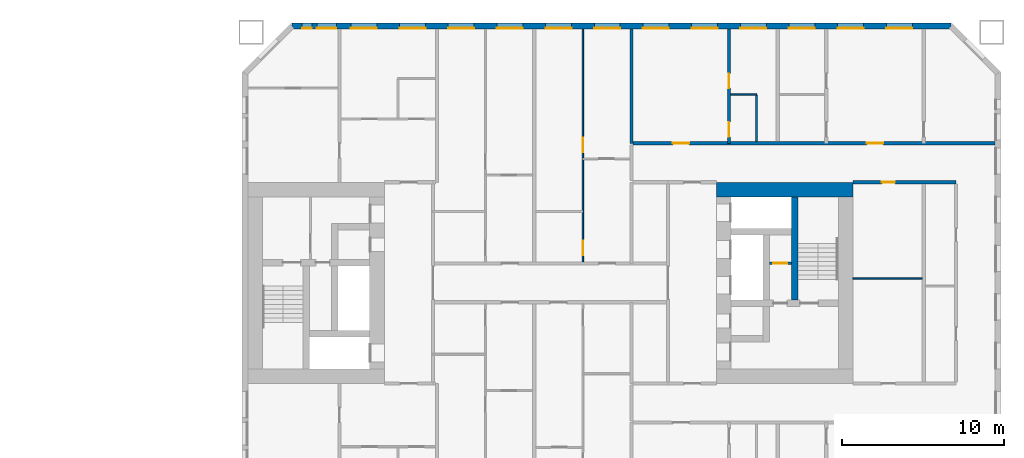
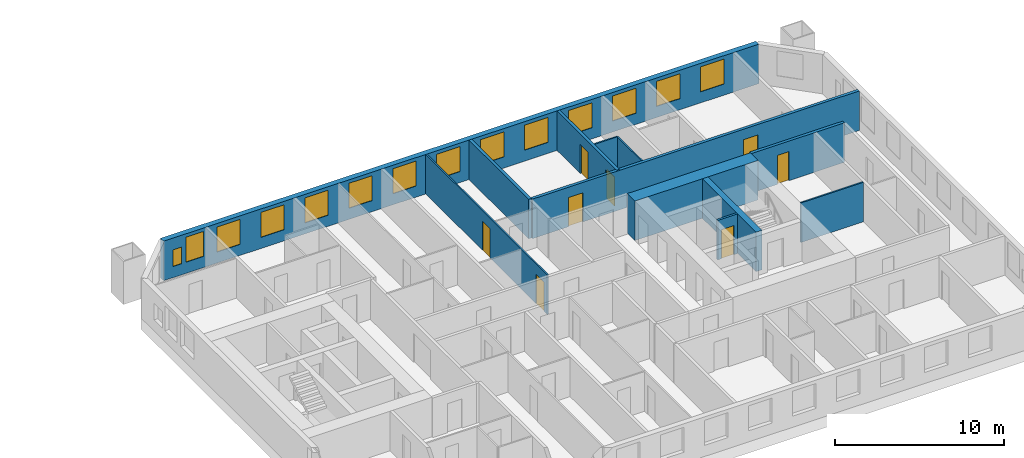
# One storey, part 13 of 16: 14 windows, 12 walls, 8 doors, 22 openings.
"""IFC4 building model written with IfcOpenShell, lengths in metres."""

import ifcopenshell
import ifcopenshell.guid

model = None  # the IFC model being written
_history = None  # IfcOwnerHistory: only IFC2X3 demands one
_inside = {}  # id of a spatial element -> (the spatial element, [elements in it])
_under = {}  # id of a project, library or spatial element -> (it, [spatial elements below it])
_declared = {}  # id of a project -> (the project, [libraries it declares])
_typed = {}  # id of a type object -> (the type object, [elements of that type])
_made_of = {}  # id of a material, layer set ... -> (it, [elements and type objects made of it])


def new_model(schema):
    """Start an empty IFC model of exactly this schema.

    Asked for "IFC4X3", IfcOpenShell would pick the latest addendum, in which some entities
    have other attributes; the version numbers below select the first issue.
    IFC2X3 requires an IfcOwnerHistory on every rooted entity: one is made here for all.
    """
    global model, _history
    if schema == "IFC4X3":
        model = ifcopenshell.file(schema_version=(4, 3, 0, 0))
    else:
        model = ifcopenshell.file(schema=schema)
    _inside.clear()
    _under.clear()
    _declared.clear()
    _typed.clear()
    _made_of.clear()
    _history = None
    if model.schema == "IFC2X3":
        org = make("IfcOrganization", Name="unknown")
        user = make(
            "IfcPersonAndOrganization",
            ThePerson=make("IfcPerson", FamilyName="unknown"),
            TheOrganization=org,
        )
        app = make(
            "IfcApplication",
            ApplicationDeveloper=org,
            Version="unknown",
            ApplicationFullName="unknown",
            ApplicationIdentifier="unknown",
        )
        _history = make(
            "IfcOwnerHistory",
            OwningUser=user,
            OwningApplication=app,
            ChangeAction="ADDED",
            CreationDate=0,
        )
    return model


def make(cls, **values):
    """One entity of the class cls with the attributes given. An attribute that is None is left unset."""
    return model.create_entity(
        cls, **{name: value for name, value in values.items() if value is not None}
    )


def rooted(cls, **values):
    """An entity with a GlobalId (a new one), such as an element, a storey or a relation."""
    return make(cls, GlobalId=ifcopenshell.guid.new(), OwnerHistory=_history, **values)


def si_unit(unit_type, name, prefix=None):
    """IfcSIUnit, for example si_unit("LENGTHUNIT", "METRE", prefix="MILLI")."""
    return make("IfcSIUnit", UnitType=unit_type, Prefix=prefix, Name=name)


def assignment(units):
    """IfcUnitAssignment: the units of a project."""
    return None if units is None else make("IfcUnitAssignment", Units=units)


def point(xyz):
    """IfcCartesianPoint."""
    return None if xyz is None else make("IfcCartesianPoint", Coordinates=xyz)


def direction(xyz):
    """IfcDirection."""
    return None if xyz is None else make("IfcDirection", DirectionRatios=xyz)


def frame(location, z_axis=None, x_axis=None):
    """IfcAxis2Placement3D, a coordinate frame: its origin and axes. An axis left out is left unset."""
    return make(
        "IfcAxis2Placement3D",
        Location=point(location),
        Axis=direction(z_axis),
        RefDirection=direction(x_axis),
    )


def frame_2d(location, x_axis=None):
    """IfcAxis2Placement2D, a coordinate frame in the plane: its origin and x axis."""
    return make(
        "IfcAxis2Placement2D", Location=point(location), RefDirection=direction(x_axis)
    )


def origin():
    """The frame at (0, 0, 0) with its axes left unset."""
    return frame((0.0, 0.0, 0.0))


def place(relative_to, where):
    """IfcLocalPlacement: puts the frame where relative to a parent placement (None: the world)."""
    return make(
        "IfcLocalPlacement", PlacementRelTo=relative_to, RelativePlacement=where
    )


def context(
    kind, dimensions, precision=None, world=None, true_north=None, identifier=None
):
    """IfcGeometricRepresentationContext, for example the 3D "Model" context."""
    return make(
        "IfcGeometricRepresentationContext",
        ContextIdentifier=identifier,
        ContextType=kind,
        CoordinateSpaceDimension=dimensions,
        Precision=precision,
        WorldCoordinateSystem=world,
        TrueNorth=true_north,
    )


def subcontext(parent, identifier, kind, view, scale=None):
    """IfcGeometricRepresentationSubContext, for example "Body" below "Model"."""
    return make(
        "IfcGeometricRepresentationSubContext",
        ContextIdentifier=identifier,
        ContextType=kind,
        ParentContext=parent,
        TargetScale=scale,
        TargetView=view,
    )


def project(units=None, contexts=None):
    """IfcProject with its units and contexts."""
    return rooted(
        "IfcProject",
        Name="project",
        RepresentationContexts=contexts,
        UnitsInContext=assignment(units),
    )


def spatial(cls, under=None, at=None, **own):
    """A site, building, storey or space (cls), placed at a placement, below another one or the project."""
    s = rooted(cls, ObjectPlacement=at, **own)
    if under is not None:
        _under.setdefault(under.id(), (under, []))[1].append(s)
    return s


def profile(cls, at=None, kind="AREA", **sizes):
    """A parametric profile (cls). Its sizes go by their IFC names, for example OverallWidth=200.0."""
    return make(cls, ProfileType=kind, Position=at, **sizes)


def rectangle(**sizes):
    """IfcRectangleProfileDef."""
    return profile("IfcRectangleProfileDef", **sizes)


def extrude(swept, where, along, depth):
    """IfcExtrudedAreaSolid: the profile swept, set in the frame where, extruded along a direction by depth."""
    return make(
        "IfcExtrudedAreaSolid",
        SweptArea=swept,
        Position=where,
        ExtrudedDirection=direction(along),
        Depth=depth,
    )


def shape(context_of_items, identifier, shape_type, items):
    """IfcShapeRepresentation: the items that make up one representation, for example the "Body"."""
    return make(
        "IfcShapeRepresentation",
        ContextOfItems=context_of_items,
        RepresentationIdentifier=identifier,
        RepresentationType=shape_type,
        Items=items,
    )


def material(Name=None, Category=None):
    """IfcMaterial."""
    return make("IfcMaterial", Name=Name, Category=Category)


def layer(
    of_material, thickness, ventilated=None, Name=None, Category=None, Priority=None
):
    """IfcMaterialLayer: one layer of a wall or slab, of a material (None: an air gap)."""
    return make(
        "IfcMaterialLayer",
        Material=of_material,
        LayerThickness=thickness,
        IsVentilated=ventilated,
        Name=Name,
        Category=Category,
        Priority=Priority,
    )


def layer_set(layers, Name=None):
    """IfcMaterialLayerSet."""
    return make("IfcMaterialLayerSet", MaterialLayers=layers, LayerSetName=Name)


def made_of(thing, what):
    """Note that an element or type object is made of a material, layer set ...; save() writes the relation."""
    if what is not None:
        _made_of.setdefault(what.id(), (what, []))[1].append(thing)
    return thing


def type_object(cls, material=None, **own):
    """A type object (cls), such as IfcWallType, which elements share."""
    return made_of(rooted(cls, **own), material)


def element(
    cls,
    number,
    at=None,
    inside=None,
    cuts=None,
    type_object=None,
    material=None,
    context=None,
    identifier="Body",
    shape_type=None,
    held_by="IfcProductDefinitionShape",
    body=None,
    shapes=None,
    **own,
):
    """One element of the class cls, such as IfcWall. Its Tag is "e" and its number.

    at: its placement. inside: the storey or other place that contains it. cuts: it is an
    opening in that element (IfcRelVoidsElement). A single representation is given by context,
    identifier, shape_type and body (its items); several are given by shapes. held_by: the class
    of the entity that holds the representations. save() writes the other relations.
    """
    e = rooted(cls, Tag="e%d" % number, ObjectPlacement=at, **own)
    if body is not None:
        shapes = [shape(context, identifier, shape_type, body)]
    if shapes is not None:
        e.Representation = make(held_by, Representations=shapes)
    if inside is not None:
        _inside.setdefault(inside.id(), (inside, []))[1].append(e)
    if cuts is not None:
        rooted(
            "IfcRelVoidsElement", RelatingBuildingElement=cuts, RelatedOpeningElement=e
        )
    if type_object is not None:
        _typed.setdefault(type_object.id(), (type_object, []))[1].append(e)
    return made_of(e, material)


def fill(opening, filler):
    """IfcRelFillsElement: the door or window that sits in an opening."""
    return rooted(
        "IfcRelFillsElement",
        RelatingOpeningElement=opening,
        RelatedBuildingElement=filler,
    )


def aggregate(whole, parts):
    """IfcRelAggregates: a whole, such as a stair, and the parts it consists of."""
    return rooted("IfcRelAggregates", RelatingObject=whole, RelatedObjects=parts)


def save(model, path):
    """Write the relations noted so far, then the file.

    IfcRelAggregates (storeys below a building ...), IfcRelContainedInSpatialStructure (elements
    in a storey), IfcRelDefinesByType, IfcRelAssociatesMaterial and IfcRelDeclares: one each for
    every whole, place, type object, material and project.
    """
    for whole, parts in _under.values():
        aggregate(whole, parts)
    for where, things in _inside.values():
        rooted(
            "IfcRelContainedInSpatialStructure",
            RelatedElements=things,
            RelatingStructure=where,
        )
    for kind, things in _typed.values():
        rooted("IfcRelDefinesByType", RelatedObjects=things, RelatingType=kind)
    for what, things in _made_of.values():
        rooted("IfcRelAssociatesMaterial", RelatedObjects=things, RelatingMaterial=what)
    for by, libraries in _declared.values():
        rooted("IfcRelDeclares", RelatingContext=by, RelatedDefinitions=libraries)
    model.write(path)


model = new_model("IFC4")

# Units and contexts
model_context = context("Model", 3, precision=1e-05, world=origin(), true_north=direction((0.0, 1.0)))
body_context = subcontext(model_context, "Body", "Model", "MODEL_VIEW")
ifc_project = project(units=[si_unit("LENGTHUNIT", "METRE"), si_unit("AREAUNIT", "SQUARE_METRE"), si_unit("VOLUMEUNIT", "CUBIC_METRE"), si_unit("PLANEANGLEUNIT", "RADIAN"), si_unit("MASSUNIT", "GRAM", prefix="KILO")], contexts=[model_context])

# Site, building, storey
site_placement = place(None, origin())
site = spatial("IfcSite", under=ifc_project, at=site_placement, CompositionType="ELEMENT")
building_placement = place(site_placement, origin())
building = spatial("IfcBuilding", under=site, at=building_placement, Name="Tuart Gate Housing", CompositionType="ELEMENT")
storey_placement = place(building_placement, frame((0.0, 0.0, 19.5)))
storey = spatial("IfcBuildingStorey", under=building, at=storey_placement, Name="L04", CompositionType="ELEMENT", Elevation=19.5)

# Wall, openings, windows
ifc_material_1 = material(Name="Brick", Category="masonry")
ifc_layer_1 = layer(ifc_material_1, 0.360107421875)
ifc_layer_set_1 = layer_set([ifc_layer_1], Name="Brick pier and spandrel wall 360")
wall_type_1 = type_object("IfcWallType", Name="Brick pier and spandrel wall 360", PredefinedType="STANDARD", material=ifc_layer_set_1)
wall_1_placement = place(storey_placement, frame((174.67529296875, 85.820068359375, 0.0), z_axis=(0.0, 0.0, 1.0), x_axis=(-1.0, 0.0, 0.0)))
wall_1 = element("IfcWall", 1, at=wall_1_placement, inside=storey, type_object=wall_type_1, Name="External wall B-N L04", PredefinedType="STANDARD", context=body_context, shape_type="SweptSolid", body=[
    extrude(rectangle(XDim=40.600830078125, YDim=0.360107421875, at=frame_2d((20.30029296875, 0.0))), origin(), (0.0, 0.0, 1.0), 2.85009765625),
])
opening_1_placement = place(wall_1_placement, frame((2.37548828125, 0.0, 0.800048828125)))
opening_1 = element("IfcOpeningElement", 2, at=opening_1_placement, cuts=wall_1, Name="Opening W1", PredefinedType="OPENING", context=body_context, shape_type="SweptSolid", body=[
    extrude(rectangle(XDim=1.60009765625, YDim=1.800048828125, at=frame_2d((0.800048828125, 0.89990234375))), frame((0.0, 0.18994140625, 0.0), z_axis=(0.0, -1.0, 0.0), x_axis=(1.0, 0.0, 0.0)), (0.0, 0.0, 1.0), 0.380126953125),
])
opening_2_placement = place(wall_1_placement, frame((5.37548828125, 0.0, 0.800048828125)))
opening_2 = element("IfcOpeningElement", 3, at=opening_2_placement, cuts=wall_1, Name="Opening W1", PredefinedType="OPENING", context=body_context, shape_type="SweptSolid", body=[
    extrude(rectangle(XDim=1.60009765625, YDim=1.800048828125, at=frame_2d((0.800048828125, 0.89990234375))), frame((0.0, 0.18994140625, 0.0), z_axis=(0.0, -1.0, 0.0), x_axis=(1.0, 0.0, 0.0)), (0.0, 0.0, 1.0), 0.380126953125),
])
opening_3_placement = place(wall_1_placement, frame((8.37548828125, 0.0, 0.800048828125)))
opening_3 = element("IfcOpeningElement", 4, at=opening_3_placement, cuts=wall_1, Name="Opening W1", PredefinedType="OPENING", context=body_context, shape_type="SweptSolid", body=[
    extrude(rectangle(XDim=1.60009765625, YDim=1.800048828125, at=frame_2d((0.800048828125, 0.89990234375))), frame((0.0, 0.18994140625, 0.0), z_axis=(0.0, -1.0, 0.0), x_axis=(1.0, 0.0, 0.0)), (0.0, 0.0, 1.0), 0.380126953125),
])
opening_4_placement = place(wall_1_placement, frame((11.37548828125, 0.0, 0.800048828125)))
opening_4 = element("IfcOpeningElement", 5, at=opening_4_placement, cuts=wall_1, Name="Opening W1", PredefinedType="OPENING", context=body_context, shape_type="SweptSolid", body=[
    extrude(rectangle(XDim=1.60009765625, YDim=1.800048828125, at=frame_2d((0.800048828125, 0.89990234375))), frame((0.0, 0.18994140625, 0.0), z_axis=(0.0, -1.0, 0.0), x_axis=(1.0, 0.0, 0.0)), (0.0, 0.0, 1.0), 0.380126953125),
])
opening_5_placement = place(wall_1_placement, frame((14.37548828125, 0.0, 0.800048828125)))
opening_5 = element("IfcOpeningElement", 6, at=opening_5_placement, cuts=wall_1, Name="Opening W1", PredefinedType="OPENING", context=body_context, shape_type="SweptSolid", body=[
    extrude(rectangle(XDim=1.60009765625, YDim=1.800048828125, at=frame_2d((0.800048828125, 0.89990234375))), frame((0.0, 0.18994140625, 0.0), z_axis=(0.0, -1.0, 0.0), x_axis=(1.0, 0.0, 0.0)), (0.0, 0.0, 1.0), 0.380126953125),
])
opening_6_placement = place(wall_1_placement, frame((17.37548828125, 0.0, 0.800048828125)))
opening_6 = element("IfcOpeningElement", 7, at=opening_6_placement, cuts=wall_1, Name="Opening W1", PredefinedType="OPENING", context=body_context, shape_type="SweptSolid", body=[
    extrude(rectangle(XDim=1.60009765625, YDim=1.800048828125, at=frame_2d((0.800048828125, 0.89990234375))), frame((0.0, 0.18994140625, 0.0), z_axis=(0.0, -1.0, 0.0), x_axis=(1.0, 0.0, 0.0)), (0.0, 0.0, 1.0), 0.380126953125),
])
opening_7_placement = place(wall_1_placement, frame((20.37548828125, 0.0, 0.800048828125)))
opening_7 = element("IfcOpeningElement", 8, at=opening_7_placement, cuts=wall_1, Name="Opening W1", PredefinedType="OPENING", context=body_context, shape_type="SweptSolid", body=[
    extrude(rectangle(XDim=1.60009765625, YDim=1.800048828125, at=frame_2d((0.800048828125, 0.89990234375))), frame((0.0, 0.18994140625, 0.0), z_axis=(0.0, -1.0, 0.0), x_axis=(1.0, 0.0, 0.0)), (0.0, 0.0, 1.0), 0.380126953125),
])
opening_8_placement = place(wall_1_placement, frame((23.37548828125, 0.0, 0.800048828125)))
opening_8 = element("IfcOpeningElement", 9, at=opening_8_placement, cuts=wall_1, Name="Opening W1", PredefinedType="OPENING", context=body_context, shape_type="SweptSolid", body=[
    extrude(rectangle(XDim=1.60009765625, YDim=1.800048828125, at=frame_2d((0.800048828125, 0.89990234375))), frame((0.0, 0.18994140625, 0.0), z_axis=(0.0, -1.0, 0.0), x_axis=(1.0, 0.0, 0.0)), (0.0, 0.0, 1.0), 0.380126953125),
])
opening_9_placement = place(wall_1_placement, frame((26.37548828125, 0.0, 0.800048828125)))
opening_9 = element("IfcOpeningElement", 10, at=opening_9_placement, cuts=wall_1, Name="Opening W1", PredefinedType="OPENING", context=body_context, shape_type="SweptSolid", body=[
    extrude(rectangle(XDim=1.60009765625, YDim=1.800048828125, at=frame_2d((0.800048828125, 0.89990234375))), frame((0.0, 0.18994140625, 0.0), z_axis=(0.0, -1.0, 0.0), x_axis=(1.0, 0.0, 0.0)), (0.0, 0.0, 1.0), 0.380126953125),
])
opening_10_placement = place(wall_1_placement, frame((29.37548828125, 0.0, 0.800048828125)))
opening_10 = element("IfcOpeningElement", 11, at=opening_10_placement, cuts=wall_1, Name="Opening W1", PredefinedType="OPENING", context=body_context, shape_type="SweptSolid", body=[
    extrude(rectangle(XDim=1.60009765625, YDim=1.800048828125, at=frame_2d((0.800048828125, 0.89990234375))), frame((0.0, 0.18994140625, 0.0), z_axis=(0.0, -1.0, 0.0), x_axis=(1.0, 0.0, 0.0)), (0.0, 0.0, 1.0), 0.380126953125),
])
opening_11_placement = place(wall_1_placement, frame((32.37548828125, 0.0, 0.800048828125)))
opening_11 = element("IfcOpeningElement", 12, at=opening_11_placement, cuts=wall_1, Name="Opening W1", PredefinedType="OPENING", context=body_context, shape_type="SweptSolid", body=[
    extrude(rectangle(XDim=1.60009765625, YDim=1.800048828125, at=frame_2d((0.800048828125, 0.89990234375))), frame((0.0, 0.18994140625, 0.0), z_axis=(0.0, -1.0, 0.0), x_axis=(1.0, 0.0, 0.0)), (0.0, 0.0, 1.0), 0.380126953125),
])
opening_12_placement = place(wall_1_placement, frame((35.37548828125, 0.0, 0.800048828125)))
opening_12 = element("IfcOpeningElement", 13, at=opening_12_placement, cuts=wall_1, Name="Opening W1", PredefinedType="OPENING", context=body_context, shape_type="SweptSolid", body=[
    extrude(rectangle(XDim=1.60009765625, YDim=1.800048828125, at=frame_2d((0.800048828125, 0.89990234375))), frame((0.0, 0.18994140625, 0.0), z_axis=(0.0, -1.0, 0.0), x_axis=(1.0, 0.0, 0.0)), (0.0, 0.0, 1.0), 0.380126953125),
])
opening_13_placement = place(wall_1_placement, frame((37.87548828125, 0.0, 0.800048828125)))
opening_13 = element("IfcOpeningElement", 14, at=opening_13_placement, cuts=wall_1, Name="Opening W1B", PredefinedType="OPENING", context=body_context, shape_type="SweptSolid", body=[
    extrude(rectangle(XDim=1.199951171875, YDim=1.800048828125, at=frame_2d((0.60009765625, 0.89990234375))), frame((0.0, 0.18994140625, 0.0), z_axis=(0.0, -1.0, 0.0), x_axis=(1.0, 0.0, 0.0)), (0.0, 0.0, 1.0), 0.380126953125),
])
opening_14_placement = place(wall_1_placement, frame((39.37548828125, 0.0, 0.800048828125)))
opening_14 = element("IfcOpeningElement", 15, at=opening_14_placement, cuts=wall_1, Name="Opening W1Q", PredefinedType="OPENING", context=body_context, shape_type="SweptSolid", body=[
    extrude(rectangle(XDim=0.60009765625, YDim=1.199951171875, at=frame_2d((0.300048828125, 0.60009765625))), frame((0.0, 0.18994140625, 0.0), z_axis=(0.0, -1.0, 0.0), x_axis=(1.0, 0.0, 0.0)), (0.0, 0.0, 1.0), 0.380126953125),
])
ifc_material_2 = material(Name="Aluminium frame with clear glass", Category="aluminium")
window_type_1 = type_object("IfcWindowType", Name="Punched window 1200 x 1800", PartitioningType="SINGLE_PANEL", PredefinedType="WINDOW", material=ifc_material_2)
window_1_placement = place(opening_13_placement, origin())
window_1 = element("IfcWindow", 16, at=window_1_placement, inside=storey, type_object=window_type_1, Name="Window W1B", OverallHeight=1.800048828125, OverallWidth=1.199951171875, PartitioningType="SINGLE_PANEL", PredefinedType="WINDOW", context=body_context, shape_type="SweptSolid", body=[
    extrude(rectangle(XDim=1.199951171875, YDim=1.800048828125, at=frame_2d((0.60009765625, 0.89990234375))), frame((0.0, 0.150146484375, 0.0), z_axis=(0.0, -1.0, 0.0), x_axis=(1.0, 0.0, 0.0)), (0.0, 0.0, 1.0), 0.06005859375),
])
fill(opening_13, window_1)
ifc_material_3 = material(Name="Aluminium frame with clear glass", Category="aluminium")
window_type_2 = type_object("IfcWindowType", Name="Punched window 1600 x 1800", PartitioningType="SINGLE_PANEL", PredefinedType="WINDOW", material=ifc_material_3)
window_2_placement = place(opening_1_placement, origin())
window_2 = element("IfcWindow", 17, at=window_2_placement, inside=storey, type_object=window_type_2, Name="Window W1", OverallHeight=1.800048828125, OverallWidth=1.60009765625, PartitioningType="SINGLE_PANEL", PredefinedType="WINDOW", context=body_context, shape_type="SweptSolid", body=[
    extrude(rectangle(XDim=1.60009765625, YDim=1.800048828125, at=frame_2d((0.800048828125, 0.89990234375))), frame((0.0, 0.150146484375, 0.0), z_axis=(0.0, -1.0, 0.0), x_axis=(1.0, 0.0, 0.0)), (0.0, 0.0, 1.0), 0.06005859375),
])
fill(opening_1, window_2)
window_3_placement = place(opening_2_placement, origin())
window_3 = element("IfcWindow", 18, at=window_3_placement, inside=storey, type_object=window_type_2, Name="Window W1", OverallHeight=1.800048828125, OverallWidth=1.60009765625, PartitioningType="SINGLE_PANEL", PredefinedType="WINDOW", context=body_context, shape_type="SweptSolid", body=[
    extrude(rectangle(XDim=1.60009765625, YDim=1.800048828125, at=frame_2d((0.800048828125, 0.89990234375))), frame((0.0, 0.150146484375, 0.0), z_axis=(0.0, -1.0, 0.0), x_axis=(1.0, 0.0, 0.0)), (0.0, 0.0, 1.0), 0.06005859375),
])
fill(opening_2, window_3)
window_4_placement = place(opening_3_placement, origin())
window_4 = element("IfcWindow", 19, at=window_4_placement, inside=storey, type_object=window_type_2, Name="Window W1", OverallHeight=1.800048828125, OverallWidth=1.60009765625, PartitioningType="SINGLE_PANEL", PredefinedType="WINDOW", context=body_context, shape_type="SweptSolid", body=[
    extrude(rectangle(XDim=1.60009765625, YDim=1.800048828125, at=frame_2d((0.800048828125, 0.89990234375))), frame((0.0, 0.150146484375, 0.0), z_axis=(0.0, -1.0, 0.0), x_axis=(1.0, 0.0, 0.0)), (0.0, 0.0, 1.0), 0.06005859375),
])
fill(opening_3, window_4)
window_5_placement = place(opening_4_placement, origin())
window_5 = element("IfcWindow", 20, at=window_5_placement, inside=storey, type_object=window_type_2, Name="Window W1", OverallHeight=1.800048828125, OverallWidth=1.60009765625, PartitioningType="SINGLE_PANEL", PredefinedType="WINDOW", context=body_context, shape_type="SweptSolid", body=[
    extrude(rectangle(XDim=1.60009765625, YDim=1.800048828125, at=frame_2d((0.800048828125, 0.89990234375))), frame((0.0, 0.150146484375, 0.0), z_axis=(0.0, -1.0, 0.0), x_axis=(1.0, 0.0, 0.0)), (0.0, 0.0, 1.0), 0.06005859375),
])
fill(opening_4, window_5)
window_6_placement = place(opening_5_placement, origin())
window_6 = element("IfcWindow", 21, at=window_6_placement, inside=storey, type_object=window_type_2, Name="Window W1", OverallHeight=1.800048828125, OverallWidth=1.60009765625, PartitioningType="SINGLE_PANEL", PredefinedType="WINDOW", context=body_context, shape_type="SweptSolid", body=[
    extrude(rectangle(XDim=1.60009765625, YDim=1.800048828125, at=frame_2d((0.800048828125, 0.89990234375))), frame((0.0, 0.150146484375, 0.0), z_axis=(0.0, -1.0, 0.0), x_axis=(1.0, 0.0, 0.0)), (0.0, 0.0, 1.0), 0.06005859375),
])
fill(opening_5, window_6)
window_7_placement = place(opening_6_placement, origin())
window_7 = element("IfcWindow", 22, at=window_7_placement, inside=storey, type_object=window_type_2, Name="Window W1", OverallHeight=1.800048828125, OverallWidth=1.60009765625, PartitioningType="SINGLE_PANEL", PredefinedType="WINDOW", context=body_context, shape_type="SweptSolid", body=[
    extrude(rectangle(XDim=1.60009765625, YDim=1.800048828125, at=frame_2d((0.800048828125, 0.89990234375))), frame((0.0, 0.150146484375, 0.0), z_axis=(0.0, -1.0, 0.0), x_axis=(1.0, 0.0, 0.0)), (0.0, 0.0, 1.0), 0.06005859375),
])
fill(opening_6, window_7)
window_8_placement = place(opening_7_placement, origin())
window_8 = element("IfcWindow", 23, at=window_8_placement, inside=storey, type_object=window_type_2, Name="Window W1", OverallHeight=1.800048828125, OverallWidth=1.60009765625, PartitioningType="SINGLE_PANEL", PredefinedType="WINDOW", context=body_context, shape_type="SweptSolid", body=[
    extrude(rectangle(XDim=1.60009765625, YDim=1.800048828125, at=frame_2d((0.800048828125, 0.89990234375))), frame((0.0, 0.150146484375, 0.0), z_axis=(0.0, -1.0, 0.0), x_axis=(1.0, 0.0, 0.0)), (0.0, 0.0, 1.0), 0.06005859375),
])
fill(opening_7, window_8)
window_9_placement = place(opening_8_placement, origin())
window_9 = element("IfcWindow", 24, at=window_9_placement, inside=storey, type_object=window_type_2, Name="Window W1", OverallHeight=1.800048828125, OverallWidth=1.60009765625, PartitioningType="SINGLE_PANEL", PredefinedType="WINDOW", context=body_context, shape_type="SweptSolid", body=[
    extrude(rectangle(XDim=1.60009765625, YDim=1.800048828125, at=frame_2d((0.800048828125, 0.89990234375))), frame((0.0, 0.150146484375, 0.0), z_axis=(0.0, -1.0, 0.0), x_axis=(1.0, 0.0, 0.0)), (0.0, 0.0, 1.0), 0.06005859375),
])
fill(opening_8, window_9)
window_10_placement = place(opening_9_placement, origin())
window_10 = element("IfcWindow", 25, at=window_10_placement, inside=storey, type_object=window_type_2, Name="Window W1", OverallHeight=1.800048828125, OverallWidth=1.60009765625, PartitioningType="SINGLE_PANEL", PredefinedType="WINDOW", context=body_context, shape_type="SweptSolid", body=[
    extrude(rectangle(XDim=1.60009765625, YDim=1.800048828125, at=frame_2d((0.800048828125, 0.89990234375))), frame((0.0, 0.150146484375, 0.0), z_axis=(0.0, -1.0, 0.0), x_axis=(1.0, 0.0, 0.0)), (0.0, 0.0, 1.0), 0.06005859375),
])
fill(opening_9, window_10)
window_11_placement = place(opening_10_placement, origin())
window_11 = element("IfcWindow", 26, at=window_11_placement, inside=storey, type_object=window_type_2, Name="Window W1", OverallHeight=1.800048828125, OverallWidth=1.60009765625, PartitioningType="SINGLE_PANEL", PredefinedType="WINDOW", context=body_context, shape_type="SweptSolid", body=[
    extrude(rectangle(XDim=1.60009765625, YDim=1.800048828125, at=frame_2d((0.800048828125, 0.89990234375))), frame((0.0, 0.150146484375, 0.0), z_axis=(0.0, -1.0, 0.0), x_axis=(1.0, 0.0, 0.0)), (0.0, 0.0, 1.0), 0.06005859375),
])
fill(opening_10, window_11)
window_12_placement = place(opening_11_placement, origin())
window_12 = element("IfcWindow", 27, at=window_12_placement, inside=storey, type_object=window_type_2, Name="Window W1", OverallHeight=1.800048828125, OverallWidth=1.60009765625, PartitioningType="SINGLE_PANEL", PredefinedType="WINDOW", context=body_context, shape_type="SweptSolid", body=[
    extrude(rectangle(XDim=1.60009765625, YDim=1.800048828125, at=frame_2d((0.800048828125, 0.89990234375))), frame((0.0, 0.150146484375, 0.0), z_axis=(0.0, -1.0, 0.0), x_axis=(1.0, 0.0, 0.0)), (0.0, 0.0, 1.0), 0.06005859375),
])
fill(opening_11, window_12)
window_13_placement = place(opening_12_placement, origin())
window_13 = element("IfcWindow", 28, at=window_13_placement, inside=storey, type_object=window_type_2, Name="Window W1", OverallHeight=1.800048828125, OverallWidth=1.60009765625, PartitioningType="SINGLE_PANEL", PredefinedType="WINDOW", context=body_context, shape_type="SweptSolid", body=[
    extrude(rectangle(XDim=1.60009765625, YDim=1.800048828125, at=frame_2d((0.800048828125, 0.89990234375))), frame((0.0, 0.150146484375, 0.0), z_axis=(0.0, -1.0, 0.0), x_axis=(1.0, 0.0, 0.0)), (0.0, 0.0, 1.0), 0.06005859375),
])
fill(opening_12, window_13)
ifc_material_4 = material(Name="Aluminium frame with clear glass", Category="aluminium")
window_type_3 = type_object("IfcWindowType", Name="Punched window 600 x 1200", PartitioningType="SINGLE_PANEL", PredefinedType="WINDOW", material=ifc_material_4)
window_14_placement = place(opening_14_placement, origin())
window_14 = element("IfcWindow", 29, at=window_14_placement, inside=storey, type_object=window_type_3, Name="Window W1Q", OverallHeight=1.199951171875, OverallWidth=0.60009765625, PartitioningType="SINGLE_PANEL", PredefinedType="WINDOW", context=body_context, shape_type="SweptSolid", body=[
    extrude(rectangle(XDim=0.60009765625, YDim=1.199951171875, at=frame_2d((0.300048828125, 0.60009765625))), frame((0.0, 0.150146484375, 0.0), z_axis=(0.0, -1.0, 0.0), x_axis=(1.0, 0.0, 0.0)), (0.0, 0.0, 1.0), 0.06005859375),
])
fill(opening_14, window_14)

# Wall, opening, door
ifc_material_5 = material(Name="Plasterboard partition")
ifc_layer_2 = layer(ifc_material_5, 0.14990234375)
ifc_layer_set_2 = layer_set([ifc_layer_2], Name="Core partition 150")
wall_type_2 = type_object("IfcWallType", Name="Core partition 150", PredefinedType="PARTITIONING", material=ifc_layer_set_2)
wall_2_placement = place(storey_placement, frame((163.489990234375, 71.199951171875, 0.0), z_axis=(0.0, 0.0, 1.0), x_axis=(1.0, 0.0, 0.0)))
wall_2 = element("IfcWall", 30, at=wall_2_placement, inside=storey, type_object=wall_type_2, Name="Core partition BK.2", PredefinedType="PARTITIONING", context=body_context, shape_type="SweptSolid", body=[
    extrude(rectangle(XDim=1.35009765625, YDim=0.14990234375, at=frame_2d((0.675048828125, 0.0))), origin(), (0.0, 0.0, 1.0), 2.85009765625),
])
opening_15_placement = place(wall_2_placement, frame((0.25, 0.0, 0.0)))
opening_15 = element("IfcOpeningElement", 31, at=opening_15_placement, cuts=wall_2, Name="Opening D434", PredefinedType="OPENING", context=body_context, shape_type="SweptSolid", body=[
    extrude(rectangle(XDim=0.85009765625, YDim=2.10009765625, at=frame_2d((0.425048828125, 1.050048828125))), frame((0.0, 0.0849609375, 0.0), z_axis=(0.0, -1.0, 0.0), x_axis=(1.0, 0.0, 0.0)), (0.0, 0.0, 1.0), 0.169921875),
])
ifc_material_6 = material(Name="Steel fire door", Category="steel")
door_type_1 = type_object("IfcDoorType", Name="Service door 850 x 2100 RH", OperationType="SINGLE_SWING_RIGHT", PredefinedType="DOOR", material=ifc_material_6)
door_1_placement = place(opening_15_placement, frame((0.85009765625, 0.0, 0.0), z_axis=(0.0, 0.0, 1.0), x_axis=(-1.0, 0.0, 0.0)))
door_1 = element("IfcDoor", 32, at=door_1_placement, inside=storey, type_object=door_type_1, Name="Service room door BK.W2", OperationType="SINGLE_SWING_RIGHT", OverallHeight=2.10009765625, OverallWidth=0.85009765625, PredefinedType="DOOR", context=body_context, shape_type="SweptSolid", body=[
    extrude(rectangle(XDim=0.85009765625, YDim=2.10009765625, at=frame_2d((0.425048828125, 1.050048828125))), frame((0.0, 0.025146484375, 0.0), z_axis=(0.0, -1.0, 0.0), x_axis=(1.0, 0.0, 0.0)), (0.0, 0.0, 1.0), 0.050048828125),
])
fill(opening_15, door_1)

# Walls
ifc_material_7 = material(Name="Concrete C60", Category="concrete")
ifc_layer_3 = layer(ifc_material_7, 0.39990234375)
ifc_layer_set_3 = layer_set([ifc_layer_3], Name="Core wall 400 C60")
wall_type_3 = type_object("IfcWallType", Name="Core wall 400 C60", PredefinedType="SHEAR", material=ifc_layer_set_3)
wall_3_placement = place(storey_placement, frame((165.0400390625, 75.300048828125, 0.0), z_axis=(0.0, 0.0, 1.0), x_axis=(0.0, -1.0, 0.0)))
element("IfcWall", 33, at=wall_3_placement, inside=storey, type_object=wall_type_3, Name="Core wall BK.7", PredefinedType="SHEAR", context=body_context, shape_type="SweptSolid", body=[
    extrude(rectangle(XDim=6.35009765625, YDim=0.39990234375, at=frame_2d((3.175048828125, 0.0))), origin(), (0.0, 0.0, 1.0), 2.85009765625),
])
ifc_material_8 = material(Name="Concrete C60", Category="concrete")
ifc_layer_4 = layer(ifc_material_8, 0.89990234375)
ifc_layer_set_4 = layer_set([ifc_layer_4], Name="Core wall 900 C60")
wall_type_4 = type_object("IfcWallType", Name="Core wall 900 C60", PredefinedType="SHEAR", material=ifc_layer_set_4)
wall_4_placement = place(storey_placement, frame((160.239990234375, 75.75, 0.0), z_axis=(0.0, 0.0, 1.0), x_axis=(1.0, 0.0, 0.0)))
element("IfcWall", 34, at=wall_4_placement, inside=storey, type_object=wall_type_4, Name="Core wall BK south", PredefinedType="SHEAR", context=body_context, shape_type="SweptSolid", body=[
    extrude(rectangle(XDim=8.39990234375, YDim=0.89990234375, at=frame_2d((4.199951171875, 0.0))), origin(), (0.0, 0.0, 1.0), 2.85009765625),
])

# Wall, opening, door
ifc_material_9 = material(Name="Concrete masonry 15 MPa", Category="masonry")
ifc_layer_5 = layer(ifc_material_9, 0.199951171875)
ifc_layer_set_5 = layer_set([ifc_layer_5], Name="Corridor wall masonry 200")
wall_type_5 = type_object("IfcWallType", Name="Corridor wall masonry 200", PredefinedType="PARTITIONING", material=ifc_layer_set_5)
wall_5_placement = place(storey_placement, frame((168.639892578125, 76.199951171875, 0.0), z_axis=(0.0, 0.0, 1.0), x_axis=(1.0, 0.0, 0.0)))
wall_5 = element("IfcWall", 35, at=wall_5_placement, inside=storey, type_object=wall_type_5, Name="Corridor wall masonry 200", PredefinedType="PARTITIONING", context=body_context, shape_type="SweptSolid", body=[
    extrude(rectangle(XDim=6.35009765625, YDim=0.199951171875, at=frame_2d((3.175048828125, 0.0))), origin(), (0.0, 0.0, 1.0), 2.85009765625),
])
opening_16_placement = place(wall_5_placement, frame((1.780029296875, 0.0, 0.0)))
opening_16 = element("IfcOpeningElement", 36, at=opening_16_placement, cuts=wall_5, Name="Opening D428", PredefinedType="OPENING", context=body_context, shape_type="SweptSolid", body=[
    extrude(rectangle(XDim=0.800048828125, YDim=2.10009765625, at=frame_2d((0.39990234375, 1.050048828125))), frame((0.0, 0.10986328125, 0.0), z_axis=(0.0, -1.0, 0.0), x_axis=(1.0, 0.0, 0.0)), (0.0, 0.0, 1.0), 0.219970703125),
])
ifc_material_10 = material(Name="Timber door leaf in steel frame", Category="steel")
door_type_2 = type_object("IfcDoorType", Name="Store door 800 RH", OperationType="SINGLE_SWING_RIGHT", PredefinedType="DOOR", material=ifc_material_10)
door_2_placement = place(opening_16_placement, frame((0.800048828125, 0.0, 0.0), z_axis=(0.0, 0.0, 1.0), x_axis=(-1.0, 0.0, 0.0)))
door_2 = element("IfcDoor", 37, at=door_2_placement, inside=storey, type_object=door_type_2, Name="Store door", OperationType="SINGLE_SWING_RIGHT", OverallHeight=2.10009765625, OverallWidth=0.800048828125, PredefinedType="DOOR", context=body_context, shape_type="SweptSolid", body=[
    extrude(rectangle(XDim=0.800048828125, YDim=2.10009765625, at=frame_2d((0.400146484375, 1.050048828125))), frame((0.0, 0.025146484375, 0.0), z_axis=(0.0, -1.0, 0.0), x_axis=(1.0, 0.0, 0.0)), (0.0, 0.0, 1.0), 0.050048828125),
])
fill(opening_16, door_2)

# Wall, openings, doors
wall_6_placement = place(storey_placement, frame((155.10009765625, 78.60009765625, 0.0), z_axis=(0.0, 0.0, 1.0), x_axis=(1.0, 0.0, 0.0)))
wall_6 = element("IfcWall", 38, at=wall_6_placement, inside=storey, type_object=wall_type_5, Name="Corridor wall masonry 200", PredefinedType="PARTITIONING", context=body_context, shape_type="SweptSolid", body=[
    extrude(rectangle(XDim=22.289794921875, YDim=0.199951171875, at=frame_2d((11.14501953125, 0.0))), origin(), (0.0, 0.0, 1.0), 2.85009765625),
])
opening_17_placement = place(wall_6_placement, frame((2.449951171875, 0.0, 0.0)))
opening_17 = element("IfcOpeningElement", 39, at=opening_17_placement, cuts=wall_6, Name="Opening D418", PredefinedType="OPENING", context=body_context, shape_type="SweptSolid", body=[
    extrude(rectangle(XDim=1.0, YDim=2.10009765625, at=frame_2d((0.5, 1.050048828125))), frame((0.0, 0.10986328125, 0.0), z_axis=(0.0, -1.0, 0.0), x_axis=(1.0, 0.0, 0.0)), (0.0, 0.0, 1.0), 0.219970703125),
])
opening_18_placement = place(wall_6_placement, frame((14.39990234375, 0.0, 0.0)))
opening_18 = element("IfcOpeningElement", 40, at=opening_18_placement, cuts=wall_6, Name="Opening D419", PredefinedType="OPENING", context=body_context, shape_type="SweptSolid", body=[
    extrude(rectangle(XDim=1.0, YDim=2.10009765625, at=frame_2d((0.5, 1.050048828125))), frame((0.0, 0.10986328125, 0.0), z_axis=(0.0, -1.0, 0.0), x_axis=(1.0, 0.0, 0.0)), (0.0, 0.0, 1.0), 0.219970703125),
])
ifc_material_11 = material(Name="Timber door leaf in steel frame", Category="steel")
door_type_3 = type_object("IfcDoorType", Name="Flat entrance door 1000", OperationType="SINGLE_SWING_LEFT", PredefinedType="DOOR", material=ifc_material_11)
door_3_placement = place(opening_18_placement, origin())
door_3 = element("IfcDoor", 41, at=door_3_placement, inside=storey, type_object=door_type_3, Name="Flat entrance door", OperationType="SINGLE_SWING_LEFT", OverallHeight=2.10009765625, OverallWidth=1.0, PredefinedType="DOOR", context=body_context, shape_type="SweptSolid", body=[
    extrude(rectangle(XDim=1.0, YDim=2.10009765625, at=frame_2d((0.5, 1.050048828125))), frame((0.0, 0.02490234375, 0.0), z_axis=(0.0, -1.0, 0.0), x_axis=(1.0, 0.0, 0.0)), (0.0, 0.0, 1.0), 0.050048828125),
])
fill(opening_18, door_3)
ifc_material_12 = material(Name="Timber door leaf in steel frame", Category="steel")
door_type_4 = type_object("IfcDoorType", Name="Flat entrance door 1000 RH", OperationType="SINGLE_SWING_RIGHT", PredefinedType="DOOR", material=ifc_material_12)
door_4_placement = place(opening_17_placement, origin())
door_4 = element("IfcDoor", 42, at=door_4_placement, inside=storey, type_object=door_type_4, Name="Flat entrance door", OperationType="SINGLE_SWING_RIGHT", OverallHeight=2.10009765625, OverallWidth=1.0, PredefinedType="DOOR", context=body_context, shape_type="SweptSolid", body=[
    extrude(rectangle(XDim=1.0, YDim=2.10009765625, at=frame_2d((0.5, 1.050048828125))), frame((0.0, 0.02490234375, 0.0), z_axis=(0.0, -1.0, 0.0), x_axis=(1.0, 0.0, 0.0)), (0.0, 0.0, 1.0), 0.050048828125),
])
fill(opening_17, door_4)

# Walls
ifc_material_13 = material(Name="Gypsum board on steel studs", Category="steel")
ifc_layer_6 = layer(ifc_material_13, 0.10009765625)
ifc_layer_set_6 = layer_set([ifc_layer_6], Name="Partition 100")
wall_type_6 = type_object("IfcWallType", Name="Partition 100", PredefinedType="PARTITIONING", material=ifc_layer_set_6)
wall_7_placement = place(storey_placement, frame((168.639892578125, 70.280029296875, 0.0), z_axis=(0.0, 0.0, 1.0), x_axis=(1.0, 0.0, 0.0)))
element("IfcWall", 43, at=wall_7_placement, inside=storey, type_object=wall_type_6, Name="Partition 100", PredefinedType="PARTITIONING", context=body_context, shape_type="SweptSolid", body=[
    extrude(rectangle(XDim=4.260009765625, YDim=0.10009765625, at=frame_2d((2.1298828125, 0.0))), origin(), (0.0, 0.0, 1.0), 2.85009765625),
])
wall_8_placement = place(storey_placement, frame((161.10009765625, 81.60009765625, 0.0), z_axis=(0.0, 0.0, 1.0), x_axis=(1.0, 0.0, 0.0)))
element("IfcWall", 44, at=wall_8_placement, inside=storey, type_object=wall_type_6, Name="Partition 100", PredefinedType="PARTITIONING", context=body_context, shape_type="SweptSolid", body=[
    extrude(rectangle(XDim=1.599853515625, YDim=0.10009765625, at=frame_2d((0.7998046875, 0.0))), origin(), (0.0, 0.0, 1.0), 2.85009765625),
])

# Wall, openings, doors
wall_9_placement = place(storey_placement, frame((152.0, 71.300048828125, 0.0), z_axis=(0.0, 0.0, 1.0), x_axis=(0.0, 1.0, 0.0)))
wall_9 = element("IfcWall", 45, at=wall_9_placement, inside=storey, type_object=wall_type_6, Name="Partition 100", PredefinedType="PARTITIONING", context=body_context, shape_type="SweptSolid", body=[
    extrude(rectangle(XDim=14.33984375, YDim=0.10009765625, at=frame_2d((7.169921875, 0.0))), origin(), (0.0, 0.0, 1.0), 2.85009765625),
])
opening_19_placement = place(wall_9_placement, frame((6.739990234375, 0.0, 0.0)))
opening_19 = element("IfcOpeningElement", 46, at=opening_19_placement, cuts=wall_9, Name="Opening D423", PredefinedType="OPENING", context=body_context, shape_type="SweptSolid", body=[
    extrude(rectangle(XDim=0.89990234375, YDim=2.10009765625, at=frame_2d((0.449951171875, 1.050048828125))), frame((0.0, 0.06005859375, 0.0), z_axis=(0.0, -1.0, 0.0), x_axis=(1.0, 0.0, 0.0)), (0.0, 0.0, 1.0), 0.1201171875),
])
opening_20_placement = place(wall_9_placement, frame((0.39990234375, 0.0, 0.0)))
opening_20 = element("IfcOpeningElement", 47, at=opening_20_placement, cuts=wall_9, Name="Opening D422", PredefinedType="OPENING", context=body_context, shape_type="SweptSolid", body=[
    extrude(rectangle(XDim=0.89990234375, YDim=2.10009765625, at=frame_2d((0.449951171875, 1.050048828125))), frame((0.0, 0.06005859375, 0.0), z_axis=(0.0, -1.0, 0.0), x_axis=(1.0, 0.0, 0.0)), (0.0, 0.0, 1.0), 0.1201171875),
])
ifc_material_14 = material(Name="Timber door leaf in steel frame", Category="steel")
door_type_5 = type_object("IfcDoorType", Name="Bathroom door 900", OperationType="SINGLE_SWING_LEFT", PredefinedType="DOOR", material=ifc_material_14)
door_5_placement = place(opening_20_placement, origin())
door_5 = element("IfcDoor", 48, at=door_5_placement, inside=storey, type_object=door_type_5, Name="Bathroom door", OperationType="SINGLE_SWING_LEFT", OverallHeight=2.10009765625, OverallWidth=0.89990234375, PredefinedType="DOOR", context=body_context, shape_type="SweptSolid", body=[
    extrude(rectangle(XDim=0.89990234375, YDim=2.10009765625, at=frame_2d((0.449951171875, 1.050048828125))), frame((0.0, 0.02490234375, 0.0), z_axis=(0.0, -1.0, 0.0), x_axis=(1.0, 0.0, 0.0)), (0.0, 0.0, 1.0), 0.050048828125),
])
fill(opening_20, door_5)
ifc_material_15 = material(Name="Timber door leaf in steel frame", Category="steel")
door_type_6 = type_object("IfcDoorType", Name="Internal door 900", OperationType="SINGLE_SWING_LEFT", PredefinedType="DOOR", material=ifc_material_15)
door_6_placement = place(opening_19_placement, origin())
door_6 = element("IfcDoor", 49, at=door_6_placement, inside=storey, type_object=door_type_6, Name="Internal door", OperationType="SINGLE_SWING_LEFT", OverallHeight=2.10009765625, OverallWidth=0.89990234375, PredefinedType="DOOR", context=body_context, shape_type="SweptSolid", body=[
    extrude(rectangle(XDim=0.89990234375, YDim=2.10009765625, at=frame_2d((0.449951171875, 1.050048828125))), frame((0.0, 0.02490234375, 0.0), z_axis=(0.0, -1.0, 0.0), x_axis=(1.0, 0.0, 0.0)), (0.0, 0.0, 1.0), 0.050048828125),
])
fill(opening_19, door_6)

# Walls
wall_10_placement = place(storey_placement, frame((162.699951171875, 78.699951171875, 0.0), z_axis=(0.0, 0.0, 1.0), x_axis=(0.0, 1.0, 0.0)))
element("IfcWall", 50, at=wall_10_placement, inside=storey, type_object=wall_type_6, Name="Partition 100", PredefinedType="PARTITIONING", context=body_context, shape_type="SweptSolid", body=[
    extrude(rectangle(XDim=2.85009765625, YDim=0.10009765625, at=frame_2d((1.425048828125, 0.0))), origin(), (0.0, 0.0, 1.0), 2.85009765625),
])
ifc_material_16 = material(Name="Concrete C40", Category="concrete")
ifc_layer_7 = layer(ifc_material_16, 0.199951171875)
ifc_layer_set_7 = layer_set([ifc_layer_7], Name="Party wall concrete C40 200")
wall_type_7 = type_object("IfcWallType", Name="Party wall concrete C40 200", PredefinedType="SOLIDWALL", material=ifc_layer_set_7)
wall_11_placement = place(storey_placement, frame((155.0, 78.60009765625, 0.0), z_axis=(0.0, 0.0, 1.0), x_axis=(0.0, 1.0, 0.0)))
element("IfcWall", 51, at=wall_11_placement, inside=storey, type_object=wall_type_7, Name="Party wall concrete C40 200", PredefinedType="SOLIDWALL", context=body_context, shape_type="SweptSolid", body=[
    extrude(rectangle(XDim=7.039794921875, YDim=0.199951171875, at=frame_2d((3.52001953125, 0.0))), origin(), (0.0, 0.0, 1.0), 2.85009765625),
])

# Wall, openings, doors
wall_12_placement = place(storey_placement, frame((161.0, 78.60009765625, 0.0), z_axis=(0.0, 0.0, 1.0), x_axis=(0.0, 1.0, 0.0)))
wall_12 = element("IfcWall", 52, at=wall_12_placement, inside=storey, type_object=wall_type_7, Name="Party wall concrete C40 200", PredefinedType="SOLIDWALL", context=body_context, shape_type="SweptSolid", body=[
    extrude(rectangle(XDim=7.039794921875, YDim=0.199951171875, at=frame_2d((3.52001953125, 0.0))), origin(), (0.0, 0.0, 1.0), 2.85009765625),
])
opening_21_placement = place(wall_12_placement, frame((3.39990234375, 0.0, 0.0)))
opening_21 = element("IfcOpeningElement", 53, at=opening_21_placement, cuts=wall_12, Name="Opening D410", PredefinedType="OPENING", context=body_context, shape_type="SweptSolid", body=[
    extrude(rectangle(XDim=0.89990234375, YDim=2.10009765625, at=frame_2d((0.449951171875, 1.050048828125))), frame((0.0, 0.10986328125, 0.0), z_axis=(0.0, -1.0, 0.0), x_axis=(1.0, 0.0, 0.0)), (0.0, 0.0, 1.0), 0.219970703125),
])
opening_22_placement = place(wall_12_placement, frame((0.39990234375, 0.0, 0.0)))
opening_22 = element("IfcOpeningElement", 54, at=opening_22_placement, cuts=wall_12, Name="Opening D409", PredefinedType="OPENING", context=body_context, shape_type="SweptSolid", body=[
    extrude(rectangle(XDim=0.89990234375, YDim=2.10009765625, at=frame_2d((0.449951171875, 1.050048828125))), frame((0.0, 0.10986328125, 0.0), z_axis=(0.0, -1.0, 0.0), x_axis=(1.0, 0.0, 0.0)), (0.0, 0.0, 1.0), 0.219970703125),
])
ifc_material_17 = material(Name="Timber door leaf in steel frame", Category="steel")
door_type_7 = type_object("IfcDoorType", Name="Bathroom door 900 RH", OperationType="SINGLE_SWING_RIGHT", PredefinedType="DOOR", material=ifc_material_17)
door_7_placement = place(opening_22_placement, frame((0.89990234375, 0.0, 0.0), z_axis=(0.0, 0.0, 1.0), x_axis=(-1.0, 0.0, 0.0)))
door_7 = element("IfcDoor", 55, at=door_7_placement, inside=storey, type_object=door_type_7, Name="Bathroom door", OperationType="SINGLE_SWING_RIGHT", OverallHeight=2.10009765625, OverallWidth=0.89990234375, PredefinedType="DOOR", context=body_context, shape_type="SweptSolid", body=[
    extrude(rectangle(XDim=0.89990234375, YDim=2.10009765625, at=frame_2d((0.449951171875, 1.050048828125))), frame((0.0, 0.025146484375, 0.0), z_axis=(0.0, -1.0, 0.0), x_axis=(1.0, 0.0, 0.0)), (0.0, 0.0, 1.0), 0.050048828125),
])
fill(opening_22, door_7)
ifc_material_18 = material(Name="Timber door leaf in steel frame", Category="steel")
door_type_8 = type_object("IfcDoorType", Name="Internal door 900 RH", OperationType="SINGLE_SWING_RIGHT", PredefinedType="DOOR", material=ifc_material_18)
door_8_placement = place(opening_21_placement, frame((0.89990234375, 0.0, 0.0), z_axis=(0.0, 0.0, 1.0), x_axis=(-1.0, 0.0, 0.0)))
door_8 = element("IfcDoor", 56, at=door_8_placement, inside=storey, type_object=door_type_8, Name="Internal door", OperationType="SINGLE_SWING_RIGHT", OverallHeight=2.10009765625, OverallWidth=0.89990234375, PredefinedType="DOOR", context=body_context, shape_type="SweptSolid", body=[
    extrude(rectangle(XDim=0.89990234375, YDim=2.10009765625, at=frame_2d((0.449951171875, 1.050048828125))), frame((0.0, 0.025146484375, 0.0), z_axis=(0.0, -1.0, 0.0), x_axis=(1.0, 0.0, 0.0)), (0.0, 0.0, 1.0), 0.050048828125),
])
fill(opening_21, door_8)

save(model, "model.ifc")
